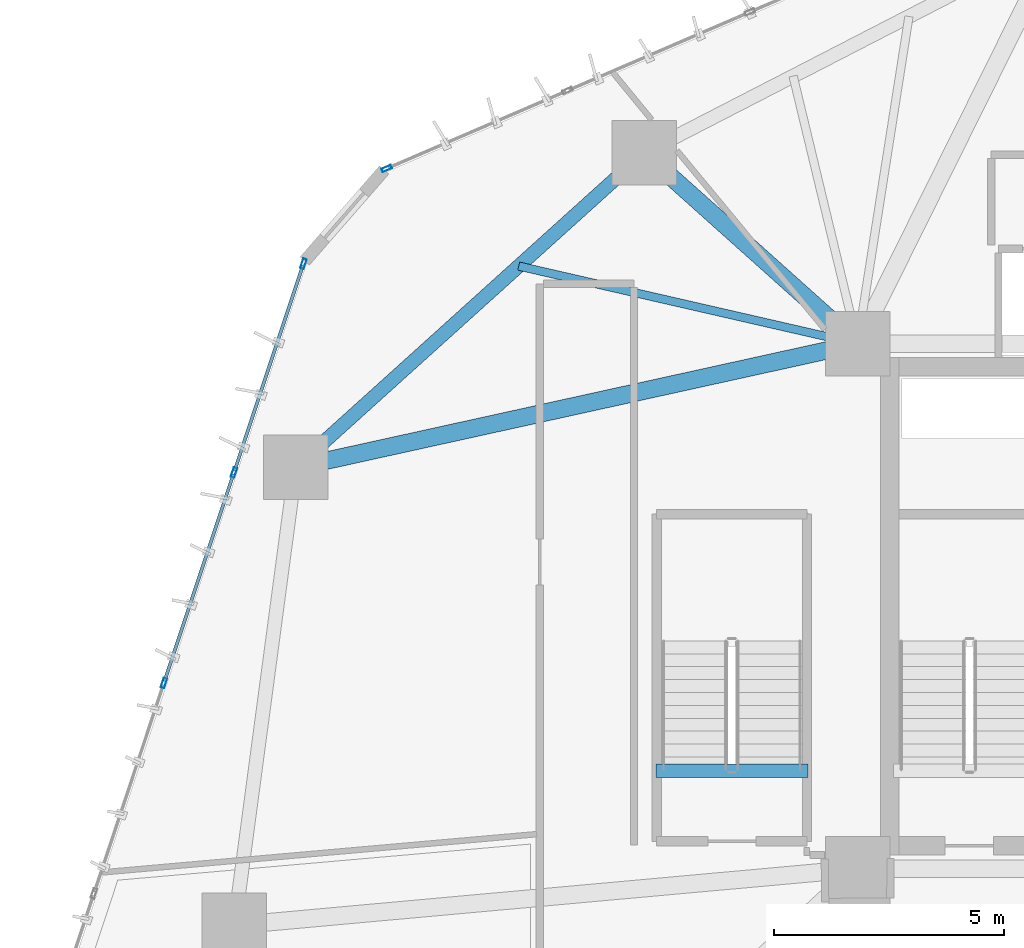
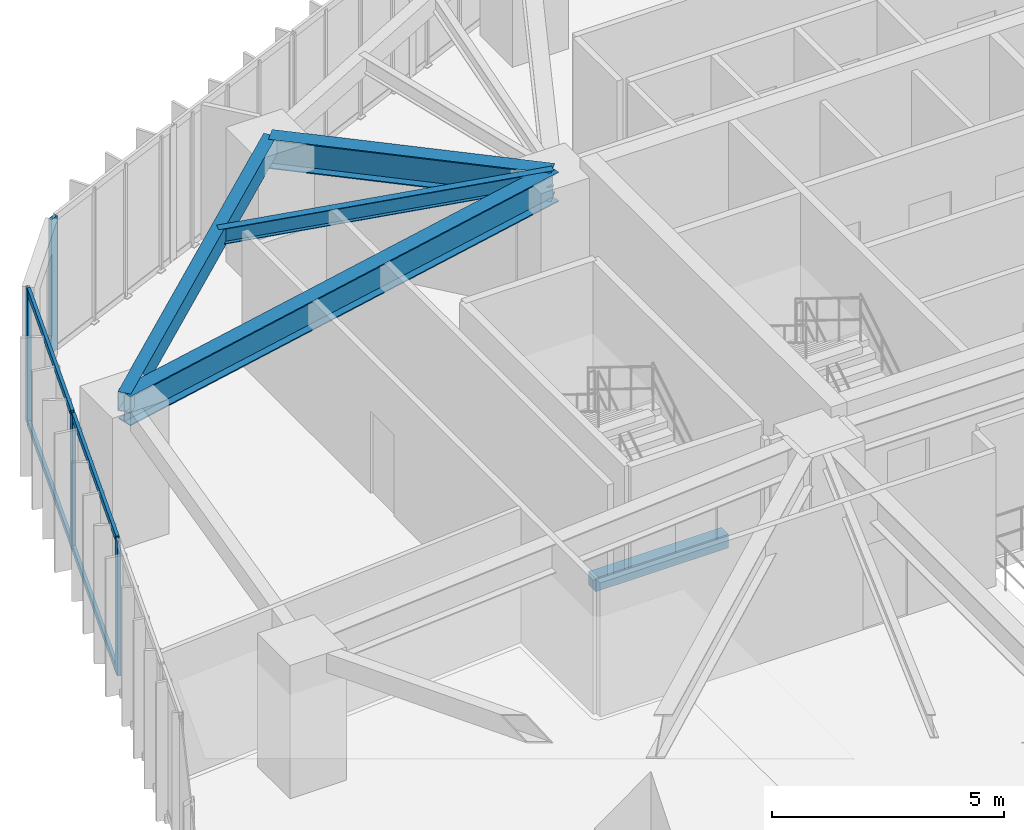
# One storey, part 6 of 23: 8 members, 5 beams, 2 elements without a shape of their own.
"""IFC4 building model written with IfcOpenShell, lengths in metres."""

from ifc_helpers import new_model, si_unit, direction, frame, origin, origin_2d, place, context, subcontext, project, spatial, rectangle, hollow_rectangle, i_section, extrude, source, transform, mapped, material, layer, layer_set, material_profile, profile_set, type_object, type_shapes, element, aggregate, save


model = new_model("IFC4")

# Units and contexts
model_context = context("Model", 3, precision=1e-05, world=origin(), true_north=direction((0.0, 1.0)))
body_context = subcontext(model_context, "Body", "Model", "MODEL_VIEW")
ifc_project = project(units=[si_unit("LENGTHUNIT", "METRE"), si_unit("AREAUNIT", "SQUARE_METRE"), si_unit("VOLUMEUNIT", "CUBIC_METRE"), si_unit("PLANEANGLEUNIT", "RADIAN"), si_unit("MASSUNIT", "GRAM", prefix="KILO")], contexts=[model_context])

# Site, building, storey
site_placement = place(None, origin())
site = spatial("IfcSite", under=ifc_project, at=site_placement, CompositionType="ELEMENT")
building_placement = place(site_placement, origin())
building = spatial("IfcBuilding", under=site, at=building_placement, Name="Talar Marvaseh", CompositionType="ELEMENT")
storey_placement = place(building_placement, frame((0.0, 0.0, 27.800048828125)))
storey = spatial("IfcBuildingStorey", under=building, at=storey_placement, Name="L06", CompositionType="ELEMENT", Elevation=27.800048828125)

# Beams
ifc_material_1 = material(Name="Concrete C40/50", Category="concrete")
ifc_material_profile_1 = material_profile(ifc_material_1, rectangle(XDim=0.300048828125, YDim=0.360107421875, at=origin_2d()), Name="RC300x360")
ifc_profile_set_1 = profile_set([ifc_material_profile_1], Name="Concrete C40/50")
beam_type_1 = type_object("IfcBeamType", Name="Concrete Stair Landing Trimmer Beam RC300x360", PredefinedType="SPANDREL", material=ifc_profile_set_1)
beam_1_placement = place(storey_placement, frame((17.6201171875, 27.6298828125, -0.179931640625), z_axis=(-1.0, 0.0, 0.0), x_axis=(0.0, -1.0, 0.0)))
element("IfcBeam", 1, at=beam_1_placement, inside=storey, type_object=beam_type_1, Name="L06 ST-3 Stair Nosing Trimmer Beam", PredefinedType="SPANDREL", context=body_context, shape_type="SweptSolid", body=[
    extrude(rectangle(XDim=0.300048828125, YDim=0.360107421875, at=origin_2d()), origin(), (0.0, 0.0, 1.0), 3.300048828125),
])
ifc_material_2 = material(Name="Steel S355", Category="steel")
ifc_material_profile_2 = material_profile(ifc_material_2, hollow_rectangle(XDim=0.300048828125, YDim=0.5, WallThickness=0.02001953125, at=origin_2d()), Name="RHS500x300x20")
ifc_profile_set_2 = profile_set([ifc_material_profile_2], Name="Steel S355")
beam_type_2 = type_object("IfcBeamType", Name="Zone 1 Perimeter Spandrel Beam RHS500x300x20", PredefinedType="SPANDREL", material=ifc_profile_set_2)
beam_2_placement = place(storey_placement, frame((6.501953125, 34.214111328125, 3.27001953125), z_axis=(0.742394279812, 0.669963232799, 0.0), x_axis=(-0.669963232799, 0.742394279812, 0.0)))
element("IfcBeam", 2, at=beam_2_placement, inside=storey, type_object=beam_type_2, Name="L06 Zone 1 Perimeter Spandrel Beam RHS500x300x20", PredefinedType="SPANDREL", context=body_context, shape_type="SweptSolid", body=[
    extrude(hollow_rectangle(XDim=0.300048828125, YDim=0.5, WallThickness=0.02001953125, at=origin_2d()), origin(), (0.0, 0.0, 1.0), 10.19287109375),
])
ifc_material_profile_3 = material_profile(ifc_material_2, i_section(OverallWidth=0.381103515625, OverallDepth=0.77294921875, WebThickness=0.0166015625, FlangeThickness=0.027099609375, at=origin_2d()), Name="W760x257")
ifc_profile_set_3 = profile_set([ifc_material_profile_3], Name="Steel S355")
beam_type_3 = type_object("IfcBeamType", Name="Zone 1 Radial Floor Girder W760x257", PredefinedType="BEAM", material=ifc_profile_set_3)
beam_3_placement = place(storey_placement, frame((6.501953125, 34.214111328125, 3.133544921875), z_axis=(0.976606962034, 0.215032187606, 0.0), x_axis=(-0.215032187606, 0.976606962034, 0.0)))
element("IfcBeam", 3, at=beam_3_placement, inside=storey, type_object=beam_type_3, Name="L06 Zone 1 Radial Floor Girder W760x257", PredefinedType="BEAM", context=body_context, shape_type="SweptSolid", body=[
    extrude(i_section(OverallWidth=0.381103515625, OverallDepth=0.77294921875, WebThickness=0.0166015625, FlangeThickness=0.027099609375, at=origin_2d()), origin(), (0.0, 0.0, 1.0), 12.490234375),
])
beam_4_placement = place(storey_placement, frame((14.069091796875, 41.04296875, 3.133544921875), z_axis=(0.745268030676, -0.666764997921, 0.0), x_axis=(0.666764997921, 0.745268030676, 0.0)))
element("IfcBeam", 4, at=beam_4_placement, inside=storey, type_object=beam_type_3, Name="L06 Zone 1 Radial Floor Girder W760x257", PredefinedType="BEAM", context=body_context, shape_type="SweptSolid", body=[
    extrude(i_section(OverallWidth=0.381103515625, OverallDepth=0.77294921875, WebThickness=0.0166015625, FlangeThickness=0.027099609375, at=origin_2d()), origin(), (0.0, 0.0, 1.0), 6.213623046875),
])
ifc_material_profile_4 = material_profile(ifc_material_2, i_section(OverallWidth=0.179931640625, OverallDepth=0.4130859375, WebThickness=0.009765625, FlangeThickness=0.01611328125, at=origin_2d()), Name="W410x75")
ifc_profile_set_4 = profile_set([ifc_material_profile_4], Name="Steel S355")
beam_type_4 = type_object("IfcBeamType", Name="Zone 1 Secondary Floor Joist W410x75", PredefinedType="JOIST", material=ifc_profile_set_4)
beam_5_placement = place(storey_placement, frame((11.344970703125, 38.584716796875, 3.3134765625), z_axis=(0.974752568621, -0.223287773885, 0.0), x_axis=(0.223287773885, 0.974752568621, 0.0)))
element("IfcBeam", 5, at=beam_5_placement, inside=storey, type_object=beam_type_4, Name="L06 Zone 1 Secondary Floor Joist W410x75", PredefinedType="JOIST", context=body_context, shape_type="SweptSolid", body=[
    extrude(i_section(OverallWidth=0.179931640625, OverallDepth=0.4130859375, WebThickness=0.009765625, FlangeThickness=0.01611328125, at=origin_2d()), origin(), (0.0, 0.0, 1.0), 7.54541015625),
])

# Curtain wall, members
ifc_material_3 = material(Name="Architectural Aluminium", Category="aluminium")
ifc_layer = layer(ifc_material_3, 0.219970703125)
ifc_layer_set = layer_set([ifc_layer], Name="Architectural Aluminium")
curtain_wall_type = type_object("IfcCurtainWallType", Name="Unitised Low-E Museum Curtain Wall Z1", PredefinedType="NOTDEFINED", material=ifc_layer_set)
curtain_wall_1_placement = place(storey_placement, origin())
curtain_wall_1 = element("IfcCurtainWall", 6, at=curtain_wall_1_placement, inside=storey, type_object=curtain_wall_type, Name="L06 Unitised Low-E Museum Curtain Wall Z1", PredefinedType="NOTDEFINED")
ifc_material_profile_5 = material_profile(ifc_material_3, hollow_rectangle(XDim=0.080078125, YDim=0.219970703125, WallThickness=0.0048828125, at=origin_2d()), Name="RHS220x80x5")
ifc_profile_set_5 = profile_set([ifc_material_profile_5], Name="Architectural Aluminium")
member_type_1 = type_object("IfcMemberType", Name="Unitised Curtain Wall Heavy Mullion RHS220x80x5", PredefinedType="MULLION", material=ifc_profile_set_5)
shared_shape_1 = source(origin(), body_context, "Body", "SweptSolid", [
    extrude(hollow_rectangle(XDim=0.080078125, YDim=0.219970703125, WallThickness=0.0048828125, at=origin_2d()), origin(), (0.0, 0.0, 1.0), 3.52001953125),
])
type_shapes(member_type_1, [shared_shape_1])
member_1_placement = place(storey_placement, frame((3.643798828125, 29.532958984375, 0.0), z_axis=(0.0, 0.0, 1.0), x_axis=(-0.948853923335, 0.3157154291, 0.0)))
member_1 = element("IfcMember", 7, at=member_1_placement, type_object=member_type_1, Name="CW-Z1 mullion 3", PredefinedType="MULLION", context=body_context, shape_type="MappedRepresentation", body=[
    mapped(shared_shape_1, transform((0.0, 0.0, 0.0), x_axis=(1.0, 0.0, 0.0), y_axis=(0.0, 1.0, 0.0), z_axis=(0.0, 0.0, 1.0), scale=1.0)),
])
member_2_placement = place(storey_placement, frame((5.16455078125, 34.103271484375, 0.0), z_axis=(0.0, 0.0, 1.0), x_axis=(-0.948853923335, 0.3157154291, 0.0)))
member_2 = element("IfcMember", 8, at=member_2_placement, type_object=member_type_1, Name="CW-Z1 mullion 4", PredefinedType="MULLION", context=body_context, shape_type="MappedRepresentation", body=[
    mapped(shared_shape_1, transform((0.0, 0.0, 0.0), x_axis=(1.0, 0.0, 0.0), y_axis=(0.0, 1.0, 0.0), z_axis=(0.0, 0.0, 1.0), scale=1.0)),
])
member_3_placement = place(storey_placement, frame((6.672607421875, 38.635498046875, 0.0), z_axis=(0.0, 0.0, 1.0), x_axis=(-0.948853923335, 0.3157154291, 0.0)))
member_3 = element("IfcMember", 9, at=member_3_placement, type_object=member_type_1, Name="CW-Z1 mullion 5", PredefinedType="MULLION", context=body_context, shape_type="MappedRepresentation", body=[
    mapped(shared_shape_1, transform((0.0, 0.0, 0.0), x_axis=(1.0, 0.0, 0.0), y_axis=(0.0, 1.0, 0.0), z_axis=(0.0, 0.0, 1.0), scale=1.0)),
])

# Curtain wall, member
curtain_wall_2_placement = place(storey_placement, origin())
curtain_wall_2 = element("IfcCurtainWall", 10, at=curtain_wall_2_placement, inside=storey, type_object=curtain_wall_type, Name="L06 Unitised Low-E Museum Curtain Wall Z1", PredefinedType="NOTDEFINED")
member_4_placement = place(storey_placement, frame((8.48046875, 40.70166015625, 0.0), z_axis=(0.0, 0.0, 1.0), x_axis=(-0.395830865005, 0.918323432299, 0.0)))
member_4 = element("IfcMember", 11, at=member_4_placement, type_object=member_type_1, Name="CW-Z1 mullion 1", PredefinedType="MULLION", context=body_context, shape_type="MappedRepresentation", body=[
    mapped(shared_shape_1, transform((0.0, 0.0, 0.0), x_axis=(1.0, 0.0, 0.0), y_axis=(0.0, 1.0, 0.0), z_axis=(0.0, 0.0, 1.0), scale=1.0)),
])
aggregate(curtain_wall_2, [member_4])

# Member
ifc_material_profile_6 = material_profile(ifc_material_3, hollow_rectangle(XDim=0.074951171875, YDim=0.179931640625, WallThickness=0.0048828125, at=origin_2d()), Name="RHS180x75x5")
ifc_profile_set_6 = profile_set([ifc_material_profile_6], Name="Architectural Aluminium")
member_type_2 = type_object("IfcMemberType", Name="Unitised Curtain Wall Transom RHS180x75x5", PredefinedType="USERDEFINED", material=ifc_profile_set_6)
shared_shape_2 = source(origin(), body_context, "Body", "SweptSolid", [
    extrude(hollow_rectangle(XDim=0.074951171875, YDim=0.179931640625, WallThickness=0.0048828125, at=origin_2d()), origin(), (0.0, 0.0, 1.0), 4.736572265625),
])
member_5_placement = place(storey_placement, frame((3.656494140625, 29.57080078125, 0.037353515625), z_axis=(0.315701977023, 0.948858399185, 0.0), x_axis=(-0.948858399185, 0.315701977023, 0.0)))
member_5 = element("IfcMember", 12, at=member_5_placement, type_object=member_type_2, Name="CW-Z1 transom 3.1", ObjectType="TRANSOM", PredefinedType="USERDEFINED", context=body_context, shape_type="MappedRepresentation", body=[
    mapped(shared_shape_2, transform((0.0, 0.0, 0.0), x_axis=(1.0, 0.0, 0.0), y_axis=(0.0, 1.0, 0.0), z_axis=(0.0, 0.0, 1.0), scale=1.0)),
])

member_6_placement = place(storey_placement, frame((3.656494140625, 29.57080078125, 3.482421875), z_axis=(0.315701977023, 0.948858399185, 0.0), x_axis=(-0.948858399185, 0.315701977023, 0.0)))
member_6 = element("IfcMember", 13, at=member_6_placement, type_object=member_type_2, Name="CW-Z1 transom 3.2", ObjectType="TRANSOM", PredefinedType="USERDEFINED", context=body_context, shape_type="MappedRepresentation", body=[
    mapped(shared_shape_2, transform((0.0, 0.0, 0.0), x_axis=(1.0, 0.0, 0.0), y_axis=(0.0, 1.0, 0.0), z_axis=(0.0, 0.0, 1.0), scale=1.0)),
])

shared_shape_3 = source(origin(), body_context, "Body", "SweptSolid", [
    extrude(hollow_rectangle(XDim=0.074951171875, YDim=0.179931640625, WallThickness=0.0048828125, at=origin_2d()), origin(), (0.0, 0.0, 1.0), 4.696533203125),
])
type_shapes(member_type_2, [shared_shape_2, shared_shape_3])
member_7_placement = place(storey_placement, frame((5.17724609375, 34.14111328125, 0.037353515625), z_axis=(0.315697482091, 0.948859894716, 0.0), x_axis=(-0.948859894716, 0.315697482091, 0.0)))
member_7 = element("IfcMember", 14, at=member_7_placement, type_object=member_type_2, Name="CW-Z1 transom 4.1", ObjectType="TRANSOM", PredefinedType="USERDEFINED", context=body_context, shape_type="MappedRepresentation", body=[
    mapped(shared_shape_3, transform((0.0, 0.0, 0.0), x_axis=(1.0, 0.0, 0.0), y_axis=(0.0, 1.0, 0.0), z_axis=(0.0, 0.0, 1.0), scale=1.0)),
])

member_8_placement = place(storey_placement, frame((5.17724609375, 34.14111328125, 3.482421875), z_axis=(0.315697482091, 0.948859894716, 0.0), x_axis=(-0.948859894716, 0.315697482091, 0.0)))
member_8 = element("IfcMember", 15, at=member_8_placement, type_object=member_type_2, Name="CW-Z1 transom 4.2", ObjectType="TRANSOM", PredefinedType="USERDEFINED", context=body_context, shape_type="MappedRepresentation", body=[
    mapped(shared_shape_3, transform((0.0, 0.0, 0.0), x_axis=(1.0, 0.0, 0.0), y_axis=(0.0, 1.0, 0.0), z_axis=(0.0, 0.0, 1.0), scale=1.0)),
])

aggregate(curtain_wall_1, [member_1, member_2, member_3, member_5, member_6, member_7, member_8])

save(model, "model.ifc")
